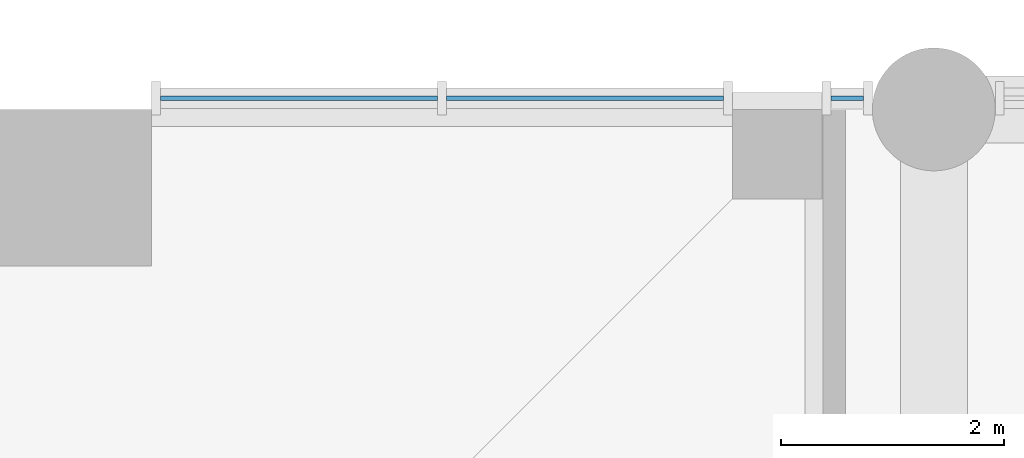
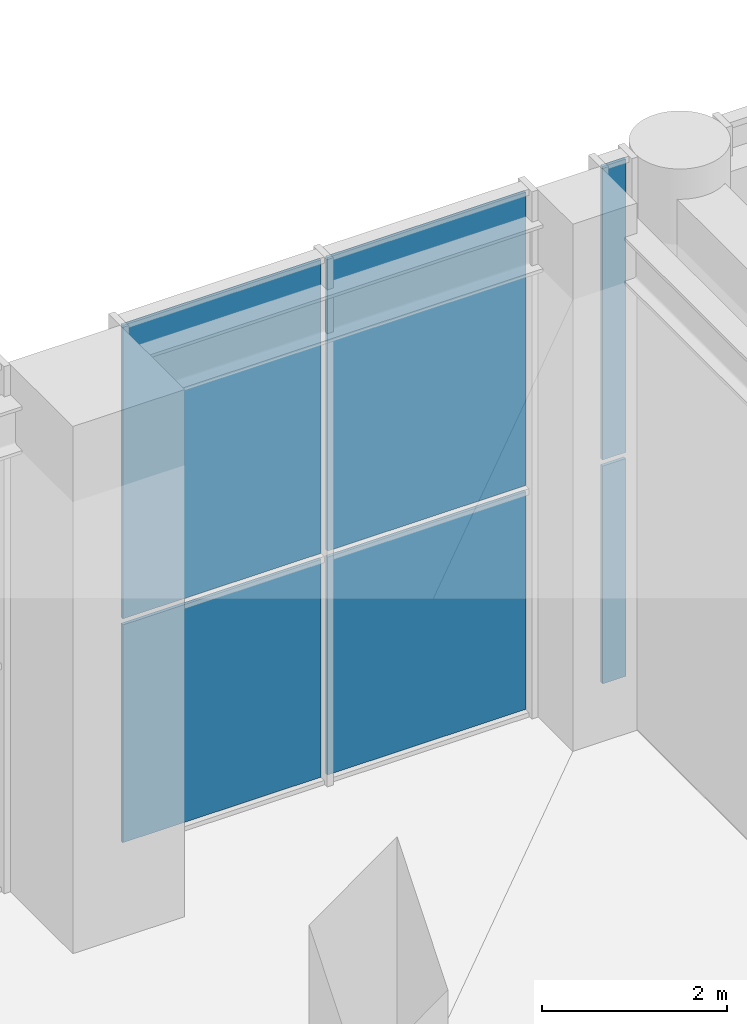
# One storey, part 20 of 30: 6 plates, 2 elements without a shape of their own.
"""IFC4 building model written with IfcOpenShell, lengths in metres."""

from ifc_helpers import new_model, si_unit, direction, frame, origin, origin_2d, place, context, subcontext, project, spatial, rectangle, extrude, material, layer, layer_set, type_object, element, aggregate, save


model = new_model("IFC4")

# Units and contexts
model_context = context("Model", 3, precision=1e-05, world=origin(), true_north=direction((0.0, 1.0)))
body_context = subcontext(model_context, "Body", "Model", "MODEL_VIEW")
ifc_project = project(units=[si_unit("LENGTHUNIT", "METRE"), si_unit("AREAUNIT", "SQUARE_METRE"), si_unit("VOLUMEUNIT", "CUBIC_METRE"), si_unit("PLANEANGLEUNIT", "RADIAN"), si_unit("MASSUNIT", "GRAM", prefix="KILO")], contexts=[model_context])

# Site, building, storey
site_placement = place(None, origin())
site = spatial("IfcSite", under=ifc_project, at=site_placement, CompositionType="ELEMENT")
building_placement = place(site_placement, origin())
building = spatial("IfcBuilding", under=site, at=building_placement, Name="Svetlomir Tower", CompositionType="ELEMENT")
storey_placement = place(building_placement, frame((0.0, 0.0, 11.0)))
storey = spatial("IfcBuildingStorey", under=building, at=storey_placement, Name="L02", CompositionType="ELEMENT", Elevation=11.0)

# Curtain wall, plates
ifc_material_1 = material(Name="Bronze anodised aluminium curtain wall", Category="aluminium")
curtain_wall_type = type_object("IfcCurtainWallType", Name="CURTAIN WALL CW5 PODIUM", PredefinedType="NOTDEFINED", material=ifc_material_1)
curtain_wall_1_placement = place(storey_placement, origin())
curtain_wall_1 = element("IfcCurtainWall", 1, at=curtain_wall_1_placement, inside=storey, type_object=curtain_wall_type, Name="Curtain wall CW5 L02", PredefinedType="NOTDEFINED")
ifc_material_2 = material(Name="Tinted double glazed unit", Category="glass")
ifc_layer = layer(ifc_material_2, 0.0400390625)
ifc_layer_set = layer_set([ifc_layer], Name="Tinted double glazed unit")
plate_type = type_object("IfcPlateType", Name="CW5 GLAZED PANEL 40", PredefinedType="CURTAIN_PANEL", material=ifc_layer_set)
plate_1_placement = place(storey_placement, frame((42.22509765625, 42.10009765625, 0.080078125), z_axis=(0.0, 0.0, 1.0), x_axis=(-1.0, 0.0, 0.0)))
plate_1 = element("IfcPlate", 2, at=plate_1_placement, type_object=plate_type, Name="CW5 panel 1.1", PredefinedType="CURTAIN_PANEL", context=body_context, shape_type="SweptSolid", body=[
    extrude(rectangle(XDim=0.2900390625, YDim=0.0400390625, at=origin_2d()), origin(), (0.0, 0.0, 1.0), 2.8798828125),
])
plate_2_placement = place(storey_placement, frame((42.22509765625, 42.10009765625, 3.0400390625), z_axis=(0.0, 0.0, 1.0), x_axis=(-1.0, 0.0, 0.0)))
plate_2 = element("IfcPlate", 3, at=plate_2_placement, type_object=plate_type, Name="CW5 panel 1.2", PredefinedType="CURTAIN_PANEL", context=body_context, shape_type="SweptSolid", body=[
    extrude(rectangle(XDim=0.2900390625, YDim=0.0400390625, at=origin_2d()), origin(), (0.0, 0.0, 1.0), 3.8798828125),
])
aggregate(curtain_wall_1, [plate_1, plate_2])

curtain_wall_2_placement = place(storey_placement, origin())
curtain_wall_2 = element("IfcCurtainWall", 4, at=curtain_wall_2_placement, inside=storey, type_object=curtain_wall_type, Name="Curtain wall CW5 L02", PredefinedType="NOTDEFINED")
plate_3_placement = place(storey_placement, frame((39.8798828125, 42.10009765625, 0.080078125), z_axis=(0.0, 0.0, 1.0), x_axis=(-1.0, 0.0, 0.0)))
plate_3 = element("IfcPlate", 5, at=plate_3_placement, type_object=plate_type, Name="CW5 panel 1.1", PredefinedType="CURTAIN_PANEL", context=body_context, shape_type="SweptSolid", body=[
    extrude(rectangle(XDim=2.47998046875, YDim=0.0400390625, at=origin_2d()), origin(), (0.0, 0.0, 1.0), 2.8798828125),
])
plate_4_placement = place(storey_placement, frame((39.8798828125, 42.10009765625, 3.0400390625), z_axis=(0.0, 0.0, 1.0), x_axis=(-1.0, 0.0, 0.0)))
plate_4 = element("IfcPlate", 6, at=plate_4_placement, type_object=plate_type, Name="CW5 panel 1.2", PredefinedType="CURTAIN_PANEL", context=body_context, shape_type="SweptSolid", body=[
    extrude(rectangle(XDim=2.47998046875, YDim=0.0400390625, at=origin_2d()), origin(), (0.0, 0.0, 1.0), 3.8798828125),
])
plate_5_placement = place(storey_placement, frame((37.320068359375, 42.10009765625, 0.080078125), z_axis=(0.0, 0.0, 1.0), x_axis=(-1.0, 0.0, 0.0)))
plate_5 = element("IfcPlate", 7, at=plate_5_placement, type_object=plate_type, Name="CW5 panel 2.1", PredefinedType="CURTAIN_PANEL", context=body_context, shape_type="SweptSolid", body=[
    extrude(rectangle(XDim=2.47998046875, YDim=0.0400390625, at=origin_2d()), origin(), (0.0, 0.0, 1.0), 2.8798828125),
])
plate_6_placement = place(storey_placement, frame((37.320068359375, 42.10009765625, 3.0400390625), z_axis=(0.0, 0.0, 1.0), x_axis=(-1.0, 0.0, 0.0)))
plate_6 = element("IfcPlate", 8, at=plate_6_placement, type_object=plate_type, Name="CW5 panel 2.2", PredefinedType="CURTAIN_PANEL", context=body_context, shape_type="SweptSolid", body=[
    extrude(rectangle(XDim=2.47998046875, YDim=0.0400390625, at=origin_2d()), origin(), (0.0, 0.0, 1.0), 3.8798828125),
])
aggregate(curtain_wall_2, [plate_3, plate_4, plate_5, plate_6])

save(model, "model.ifc")
